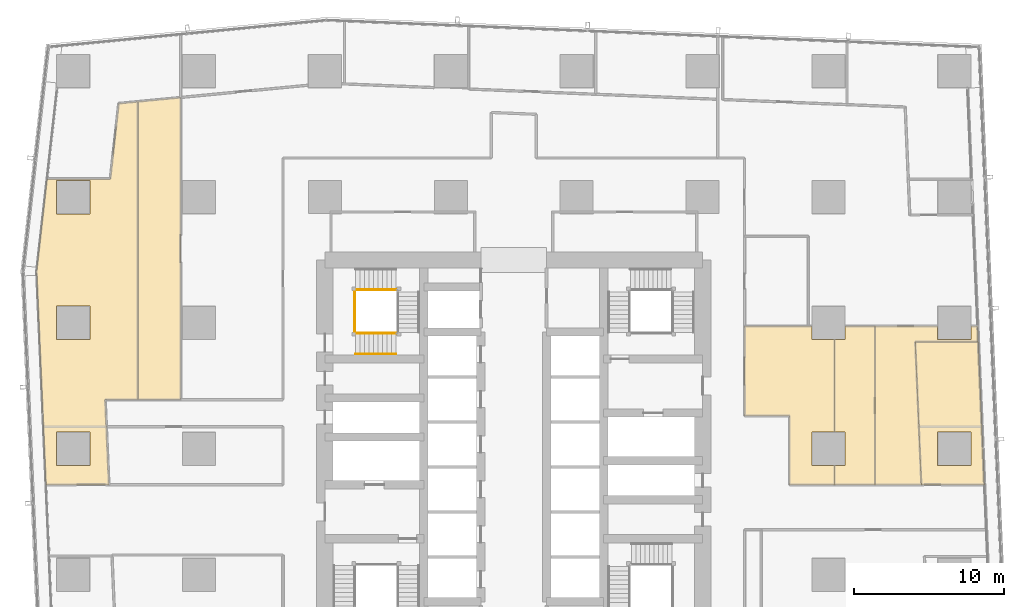
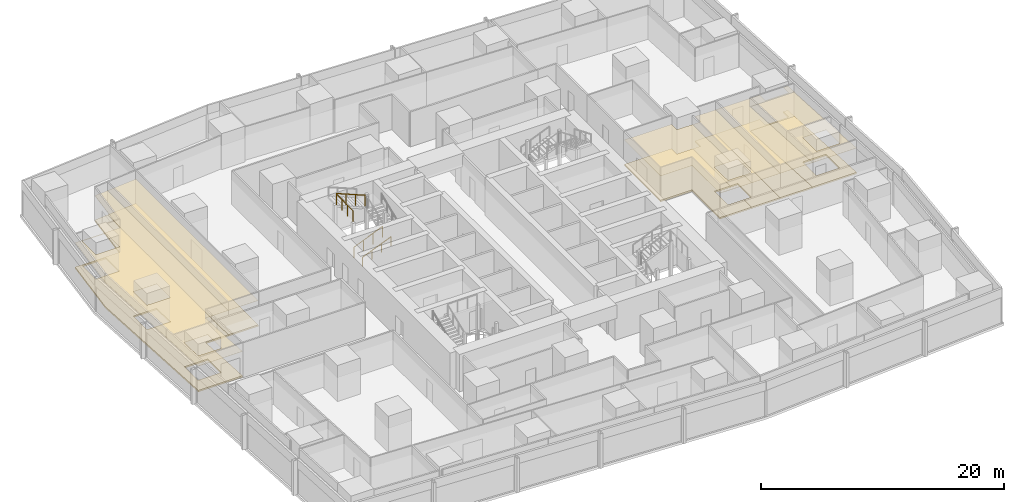
# One storey, part 41 of 45: 12 coverings, 4 railings.
"""IFC4 building model written with IfcOpenShell, lengths in metres."""

import ifcopenshell
import ifcopenshell.guid

model = None  # the IFC model being written
_history = None  # IfcOwnerHistory: only IFC2X3 demands one
_inside = {}  # id of a spatial element -> (the spatial element, [elements in it])
_under = {}  # id of a project, library or spatial element -> (it, [spatial elements below it])
_declared = {}  # id of a project -> (the project, [libraries it declares])
_typed = {}  # id of a type object -> (the type object, [elements of that type])
_made_of = {}  # id of a material, layer set ... -> (it, [elements and type objects made of it])


def new_model(schema):
    """Start an empty IFC model of exactly this schema.

    Asked for "IFC4X3", IfcOpenShell would pick the latest addendum, in which some entities
    have other attributes; the version numbers below select the first issue.
    IFC2X3 requires an IfcOwnerHistory on every rooted entity: one is made here for all.
    """
    global model, _history
    if schema == "IFC4X3":
        model = ifcopenshell.file(schema_version=(4, 3, 0, 0))
    else:
        model = ifcopenshell.file(schema=schema)
    _inside.clear()
    _under.clear()
    _declared.clear()
    _typed.clear()
    _made_of.clear()
    _history = None
    if model.schema == "IFC2X3":
        org = make("IfcOrganization", Name="unknown")
        user = make(
            "IfcPersonAndOrganization",
            ThePerson=make("IfcPerson", FamilyName="unknown"),
            TheOrganization=org,
        )
        app = make(
            "IfcApplication",
            ApplicationDeveloper=org,
            Version="unknown",
            ApplicationFullName="unknown",
            ApplicationIdentifier="unknown",
        )
        _history = make(
            "IfcOwnerHistory",
            OwningUser=user,
            OwningApplication=app,
            ChangeAction="ADDED",
            CreationDate=0,
        )
    return model


def make(cls, **values):
    """One entity of the class cls with the attributes given. An attribute that is None is left unset."""
    return model.create_entity(
        cls, **{name: value for name, value in values.items() if value is not None}
    )


def rooted(cls, **values):
    """An entity with a GlobalId (a new one), such as an element, a storey or a relation."""
    return make(cls, GlobalId=ifcopenshell.guid.new(), OwnerHistory=_history, **values)


def si_unit(unit_type, name, prefix=None):
    """IfcSIUnit, for example si_unit("LENGTHUNIT", "METRE", prefix="MILLI")."""
    return make("IfcSIUnit", UnitType=unit_type, Prefix=prefix, Name=name)


def assignment(units):
    """IfcUnitAssignment: the units of a project."""
    return None if units is None else make("IfcUnitAssignment", Units=units)


def point(xyz):
    """IfcCartesianPoint."""
    return None if xyz is None else make("IfcCartesianPoint", Coordinates=xyz)


def direction(xyz):
    """IfcDirection."""
    return None if xyz is None else make("IfcDirection", DirectionRatios=xyz)


def frame(location, z_axis=None, x_axis=None):
    """IfcAxis2Placement3D, a coordinate frame: its origin and axes. An axis left out is left unset."""
    return make(
        "IfcAxis2Placement3D",
        Location=point(location),
        Axis=direction(z_axis),
        RefDirection=direction(x_axis),
    )


def frame_2d(location, x_axis=None):
    """IfcAxis2Placement2D, a coordinate frame in the plane: its origin and x axis."""
    return make(
        "IfcAxis2Placement2D", Location=point(location), RefDirection=direction(x_axis)
    )


def origin():
    """The frame at (0, 0, 0) with its axes left unset."""
    return frame((0.0, 0.0, 0.0))


def origin_2d():
    """The frame at (0, 0) in the plane with its x axis left unset."""
    return frame_2d((0.0, 0.0))


def place(relative_to, where):
    """IfcLocalPlacement: puts the frame where relative to a parent placement (None: the world)."""
    return make(
        "IfcLocalPlacement", PlacementRelTo=relative_to, RelativePlacement=where
    )


def context(
    kind, dimensions, precision=None, world=None, true_north=None, identifier=None
):
    """IfcGeometricRepresentationContext, for example the 3D "Model" context."""
    return make(
        "IfcGeometricRepresentationContext",
        ContextIdentifier=identifier,
        ContextType=kind,
        CoordinateSpaceDimension=dimensions,
        Precision=precision,
        WorldCoordinateSystem=world,
        TrueNorth=true_north,
    )


def subcontext(parent, identifier, kind, view, scale=None):
    """IfcGeometricRepresentationSubContext, for example "Body" below "Model"."""
    return make(
        "IfcGeometricRepresentationSubContext",
        ContextIdentifier=identifier,
        ContextType=kind,
        ParentContext=parent,
        TargetScale=scale,
        TargetView=view,
    )


def project(units=None, contexts=None):
    """IfcProject with its units and contexts."""
    return rooted(
        "IfcProject",
        Name="project",
        RepresentationContexts=contexts,
        UnitsInContext=assignment(units),
    )


def spatial(cls, under=None, at=None, **own):
    """A site, building, storey or space (cls), placed at a placement, below another one or the project."""
    s = rooted(cls, ObjectPlacement=at, **own)
    if under is not None:
        _under.setdefault(under.id(), (under, []))[1].append(s)
    return s


def polyline(points):
    """IfcPolyline through the points."""
    return make("IfcPolyline", Points=[point(p) for p in points])


def profile(cls, at=None, kind="AREA", **sizes):
    """A parametric profile (cls). Its sizes go by their IFC names, for example OverallWidth=200.0."""
    return make(cls, ProfileType=kind, Position=at, **sizes)


def circle(**sizes):
    """IfcCircleProfileDef."""
    return profile("IfcCircleProfileDef", **sizes)


def outline(outer, holes=None, kind="AREA"):
    """IfcArbitraryClosedProfileDef: a profile drawn as a closed curve; with holes, ...WithVoids."""
    if holes is None:
        return make("IfcArbitraryClosedProfileDef", ProfileType=kind, OuterCurve=outer)
    return make(
        "IfcArbitraryProfileDefWithVoids",
        ProfileType=kind,
        OuterCurve=outer,
        InnerCurves=holes,
    )


def extrude(swept, where, along, depth):
    """IfcExtrudedAreaSolid: the profile swept, set in the frame where, extruded along a direction by depth."""
    return make(
        "IfcExtrudedAreaSolid",
        SweptArea=swept,
        Position=where,
        ExtrudedDirection=direction(along),
        Depth=depth,
    )


def shape(context_of_items, identifier, shape_type, items):
    """IfcShapeRepresentation: the items that make up one representation, for example the "Body"."""
    return make(
        "IfcShapeRepresentation",
        ContextOfItems=context_of_items,
        RepresentationIdentifier=identifier,
        RepresentationType=shape_type,
        Items=items,
    )


def material(Name=None, Category=None):
    """IfcMaterial."""
    return make("IfcMaterial", Name=Name, Category=Category)


def layer(
    of_material, thickness, ventilated=None, Name=None, Category=None, Priority=None
):
    """IfcMaterialLayer: one layer of a wall or slab, of a material (None: an air gap)."""
    return make(
        "IfcMaterialLayer",
        Material=of_material,
        LayerThickness=thickness,
        IsVentilated=ventilated,
        Name=Name,
        Category=Category,
        Priority=Priority,
    )


def layer_set(layers, Name=None):
    """IfcMaterialLayerSet."""
    return make("IfcMaterialLayerSet", MaterialLayers=layers, LayerSetName=Name)


def made_of(thing, what):
    """Note that an element or type object is made of a material, layer set ...; save() writes the relation."""
    if what is not None:
        _made_of.setdefault(what.id(), (what, []))[1].append(thing)
    return thing


def type_object(cls, material=None, **own):
    """A type object (cls), such as IfcWallType, which elements share."""
    return made_of(rooted(cls, **own), material)


def element(
    cls,
    number,
    at=None,
    inside=None,
    cuts=None,
    type_object=None,
    material=None,
    context=None,
    identifier="Body",
    shape_type=None,
    held_by="IfcProductDefinitionShape",
    body=None,
    shapes=None,
    **own,
):
    """One element of the class cls, such as IfcWall. Its Tag is "e" and its number.

    at: its placement. inside: the storey or other place that contains it. cuts: it is an
    opening in that element (IfcRelVoidsElement). A single representation is given by context,
    identifier, shape_type and body (its items); several are given by shapes. held_by: the class
    of the entity that holds the representations. save() writes the other relations.
    """
    e = rooted(cls, Tag="e%d" % number, ObjectPlacement=at, **own)
    if body is not None:
        shapes = [shape(context, identifier, shape_type, body)]
    if shapes is not None:
        e.Representation = make(held_by, Representations=shapes)
    if inside is not None:
        _inside.setdefault(inside.id(), (inside, []))[1].append(e)
    if cuts is not None:
        rooted(
            "IfcRelVoidsElement", RelatingBuildingElement=cuts, RelatedOpeningElement=e
        )
    if type_object is not None:
        _typed.setdefault(type_object.id(), (type_object, []))[1].append(e)
    return made_of(e, material)


def aggregate(whole, parts):
    """IfcRelAggregates: a whole, such as a stair, and the parts it consists of."""
    return rooted("IfcRelAggregates", RelatingObject=whole, RelatedObjects=parts)


def save(model, path):
    """Write the relations noted so far, then the file.

    IfcRelAggregates (storeys below a building ...), IfcRelContainedInSpatialStructure (elements
    in a storey), IfcRelDefinesByType, IfcRelAssociatesMaterial and IfcRelDeclares: one each for
    every whole, place, type object, material and project.
    """
    for whole, parts in _under.values():
        aggregate(whole, parts)
    for where, things in _inside.values():
        rooted(
            "IfcRelContainedInSpatialStructure",
            RelatedElements=things,
            RelatingStructure=where,
        )
    for kind, things in _typed.values():
        rooted("IfcRelDefinesByType", RelatedObjects=things, RelatingType=kind)
    for what, things in _made_of.values():
        rooted("IfcRelAssociatesMaterial", RelatedObjects=things, RelatingMaterial=what)
    for by, libraries in _declared.values():
        rooted("IfcRelDeclares", RelatingContext=by, RelatedDefinitions=libraries)
    model.write(path)


model = new_model("IFC4")

# Units and contexts
model_context = context("Model", 3, precision=1e-05, world=origin(), true_north=direction((0.0, 1.0)))
body_context = subcontext(model_context, "Body", "Model", "MODEL_VIEW")
ifc_project = project(units=[si_unit("LENGTHUNIT", "METRE"), si_unit("AREAUNIT", "SQUARE_METRE"), si_unit("VOLUMEUNIT", "CUBIC_METRE"), si_unit("PLANEANGLEUNIT", "RADIAN"), si_unit("MASSUNIT", "GRAM", prefix="KILO")], contexts=[model_context])

# Site, building, storey
site_placement = place(None, origin())
site = spatial("IfcSite", under=ifc_project, at=site_placement, CompositionType="ELEMENT")
building_placement = place(site_placement, origin())
building = spatial("IfcBuilding", under=site, at=building_placement, Name="Rekha Terrace Tower", CompositionType="ELEMENT")
storey_placement = place(building_placement, frame((0.0, 0.0, 44.14990234375)))
storey = spatial("IfcBuildingStorey", under=building, at=storey_placement, Name="L10", CompositionType="ELEMENT", Elevation=44.14990234375)

# Coverings
ifc_material_1 = material(Name="Mineral fibre tile in exposed grid", Category="finish")
ifc_layer_1 = layer(ifc_material_1, 0.02001953125)
ifc_layer_set_1 = layer_set([ifc_layer_1], Name="Mineral fibre tile in exposed grid")
covering_type_1 = type_object("IfcCoveringType", Name="CL1 600x1200 office grid ceiling", PredefinedType="CEILING", material=ifc_layer_set_1)
covering_1_placement = place(storey_placement, frame((0.0, 0.0, 2.580078125)))
element("IfcCovering", 1, at=covering_1_placement, inside=storey, type_object=covering_type_1, Name="Ceiling L10-06", PredefinedType="CEILING", context=body_context, shape_type="SweptSolid", body=[
    extrude(outline(polyline([(69.195068359375, 31.199951171875), (69.030029296875, 35.075927734375), (68.7880859375, 40.735107421875), (64.583984375, 40.735107421875), (64.825927734375, 35.0791015625), (64.990966796875, 31.199951171875), (69.195068359375, 31.199951171875)]), holes=[polyline([(68.31494140625, 32.485107421875), (66.0849609375, 32.485107421875), (66.0849609375, 34.715087890625), (68.31494140625, 34.715087890625), (68.31494140625, 32.485107421875)])]), origin(), (0.0, 0.0, 1.0), 0.02001953125),
])
covering_2_placement = place(storey_placement, frame((0.0, 0.0, 2.580078125)))
element("IfcCovering", 2, at=covering_2_placement, inside=storey, type_object=covering_type_1, Name="Ceiling L10-07", PredefinedType="CEILING", context=body_context, shape_type="SweptSolid", body=[
    extrude(outline(polyline([(57.68505859375, 40.885009765625), (57.68505859375, 41.781005859375), (53.199951171875, 41.781005859375), (53.199951171875, 35.800048828125), (56.199951171875, 35.800048828125), (56.199951171875, 31.199951171875), (59.199951171875, 31.199951171875), (59.199951171875, 32.485107421875), (57.68505859375, 32.485107421875), (57.68505859375, 34.715087890625), (59.199951171875, 34.715087890625), (59.199951171875, 40.885009765625), (57.68505859375, 40.885009765625)])), origin(), (0.0, 0.0, 1.0), 0.02001953125),
])
covering_3_placement = place(storey_placement, frame((0.0, 0.0, 2.580078125)))
element("IfcCovering", 3, at=covering_3_placement, inside=storey, type_object=covering_type_1, Name="Ceiling L10-08", PredefinedType="CEILING", context=body_context, shape_type="SweptSolid", body=[
    extrude(outline(polyline([(61.89990234375, 31.199951171875), (61.89990234375, 41.781005859375), (59.9150390625, 41.781005859375), (59.9150390625, 40.885009765625), (59.199951171875, 40.885009765625), (59.199951171875, 34.715087890625), (59.9150390625, 34.715087890625), (59.9150390625, 32.485107421875), (59.199951171875, 32.485107421875), (59.199951171875, 31.199951171875), (61.89990234375, 31.199951171875)])), origin(), (0.0, 0.0, 1.0), 0.02001953125),
])
covering_4_placement = place(storey_placement, frame((0.0, 0.0, 2.580078125)))
element("IfcCovering", 4, at=covering_4_placement, inside=storey, type_object=covering_type_1, Name="Ceiling L10-O2", PredefinedType="CEILING", context=body_context, shape_type="SweptSolid", body=[
    extrude(outline(polyline([(64.990966796875, 31.199951171875), (64.825927734375, 35.076904296875), (64.583984375, 40.735107421875), (68.7880859375, 40.735107421875), (68.742919921875, 41.781005859375), (68.31494140625, 41.781005859375), (68.31494140625, 40.885009765625), (66.0849609375, 40.885009765625), (66.0849609375, 41.781005859375), (61.89990234375, 41.781005859375), (61.89990234375, 31.199951171875), (64.990966796875, 31.199951171875)])), origin(), (0.0, 0.0, 1.0), 0.02001953125),
])
covering_5_placement = place(storey_placement, frame((0.0, 0.0, 2.580078125)))
element("IfcCovering", 5, at=covering_5_placement, inside=storey, type_object=covering_type_1, Name="Ceiling L10-15", PredefinedType="CEILING", context=body_context, shape_type="SweptSolid", body=[
    extrude(outline(polyline([(10.883056640625, 51.617919921875), (6.656982421875, 51.617919921875), (5.962890625, 45.444091796875), (6.056884765625, 43.2939453125), (6.416015625, 35.075927734375), (6.5859375, 31.199951171875), (10.7900390625, 31.199951171875), (10.6201171875, 35.0791015625), (10.5849609375, 35.881103515625), (10.541015625, 36.8779296875), (12.717041015625, 36.8779296875), (12.717041015625, 56.76806640625), (11.447998046875, 56.64599609375), (10.91796875, 51.928955078125), (10.883056640625, 51.617919921875)]), holes=[polyline([(9.514892578125, 32.485107421875), (7.284912109375, 32.485107421875), (7.284912109375, 34.715087890625), (9.514892578125, 34.715087890625), (9.514892578125, 32.485107421875)]), polyline([(9.514892578125, 40.885009765625), (7.284912109375, 40.885009765625), (7.284912109375, 43.114990234375), (9.514892578125, 43.114990234375), (9.514892578125, 40.885009765625)]), polyline([(9.514892578125, 51.514892578125), (9.514892578125, 49.284912109375), (7.284912109375, 49.284912109375), (7.284912109375, 51.514892578125), (9.514892578125, 51.514892578125)])]), origin(), (0.0, 0.0, 1.0), 0.02001953125),
])
covering_6_placement = place(storey_placement, frame((0.0, 0.0, 2.580078125)))
element("IfcCovering", 6, at=covering_6_placement, inside=storey, type_object=covering_type_1, Name="Ceiling L10-16", PredefinedType="CEILING", context=body_context, shape_type="SweptSolid", body=[
    extrude(outline(polyline([(15.572021484375, 36.8779296875), (15.572021484375, 57.04296875), (12.717041015625, 56.76806640625), (12.717041015625, 36.8779296875), (15.572021484375, 36.8779296875)])), origin(), (0.0, 0.0, 1.0), 0.02001953125),
])

# Railings
ifc_material_2 = material(Name="Stainless steel balustrade", Category="steel")
railing_type_1 = type_object("IfcRailingType", Name="GR1 1100 stair guard", PredefinedType="GUARDRAIL", material=ifc_material_2)
railing_1_placement = place(storey_placement, frame((27.25, 41.31494140625, 0.125)))
element("IfcRailing", 7, at=railing_1_placement, inside=storey, type_object=railing_type_1, Name="Guard ST4 L10 flight 1", PredefinedType="GUARDRAIL", context=body_context, shape_type="SweptSolid", body=[
    extrude(circle(Radius=0.02392578125, at=origin_2d()), frame((0.0, 0.0, 1.076171875), z_axis=(0.923074453586, 0.0, 0.384621311341), x_axis=(0.0, 1.0, 0.0)), (0.0, 0.0, 1.0), 2.925048828125),
    extrude(circle(Radius=0.02099609375, at=origin_2d()), origin(), (0.0, 0.0, 1.0), 1.052001953125),
    extrude(circle(Radius=0.02099609375, at=origin_2d()), frame((0.89990234375, 0.0, 0.375)), (0.0, 0.0, 1.0), 1.052001953125),
    extrude(circle(Radius=0.02099609375, at=origin_2d()), frame((1.800048828125, 0.0, 0.75)), (0.0, 0.0, 1.0), 1.052001953125),
    extrude(circle(Radius=0.02099609375, at=origin_2d()), frame((2.699951171875, 0.0, 1.125)), (0.0, 0.0, 1.0), 1.052001953125),
])
railing_2_placement = place(storey_placement, frame((29.949951171875, 44.2099609375, 2.625)))
element("IfcRailing", 8, at=railing_2_placement, inside=storey, type_object=railing_type_1, Name="Guard ST4 L10 flight 3", PredefinedType="GUARDRAIL", context=body_context, shape_type="SweptSolid", body=[
    extrude(circle(Radius=0.02392578125, at=origin_2d()), frame((0.0, 0.0, 1.076171875), z_axis=(-0.923074453586, 0.0, 0.384621311341), x_axis=(0.0, -1.0, 0.0)), (0.0, 0.0, 1.0), 2.925048828125),
    extrude(circle(Radius=0.02099609375, at=origin_2d()), origin(), (0.0, 0.0, 1.0), 1.052001953125),
    extrude(circle(Radius=0.02099609375, at=origin_2d()), frame((-0.89990234375, 0.0, 0.375)), (0.0, 0.0, 1.0), 1.052001953125),
    extrude(circle(Radius=0.02099609375, at=origin_2d()), frame((-1.800048828125, 0.0, 0.75)), (0.0, 0.0, 1.0), 1.052001953125),
    extrude(circle(Radius=0.02099609375, at=origin_2d()), frame((-2.699951171875, 0.0, 1.125)), (0.0, 0.0, 1.0), 1.052001953125),
])
railing_3_placement = place(storey_placement, frame((27.18994140625, 41.375, 3.75)))
element("IfcRailing", 9, at=railing_3_placement, inside=storey, type_object=railing_type_1, Name="Guard ST4 L10 landing 4", PredefinedType="GUARDRAIL", context=body_context, shape_type="SweptSolid", body=[
    extrude(circle(Radius=0.02392578125, at=origin_2d()), frame((0.0, 0.0, 1.076171875), z_axis=(0.0, 1.0, 0.0), x_axis=(-1.0, 0.0, 0.0)), (0.0, 0.0, 1.0), 2.77490234375),
    extrude(circle(Radius=0.02099609375, at=origin_2d()), origin(), (0.0, 0.0, 1.0), 1.052001953125),
    extrude(circle(Radius=0.02099609375, at=origin_2d()), frame((0.0, 0.925048828125, 0.0)), (0.0, 0.0, 1.0), 1.052001953125),
    extrude(circle(Radius=0.02099609375, at=origin_2d()), frame((0.0, 1.849853515625, 0.0)), (0.0, 0.0, 1.0), 1.052001953125),
    extrude(circle(Radius=0.02099609375, at=origin_2d()), frame((0.0, 2.77490234375, 0.0)), (0.0, 0.0, 1.0), 1.052001953125),
])
ifc_material_3 = material(Name="Stainless steel tube", Category="steel")
railing_type_2 = type_object("IfcRailingType", Name="HR1 900 stair handrail", PredefinedType="HANDRAIL", material=ifc_material_3)
railing_4_placement = place(storey_placement, frame((27.25, 39.93505859375, 0.125)))
element("IfcRailing", 10, at=railing_4_placement, inside=storey, type_object=railing_type_2, Name="Handrail ST4 L10 flight 1", PredefinedType="HANDRAIL", context=body_context, shape_type="SweptSolid", body=[
    extrude(circle(Radius=0.02392578125, at=origin_2d()), frame((0.0, 0.0, 0.8759765625), z_axis=(0.923074453586, 0.0, 0.384621311341), x_axis=(0.0, 1.0, 0.0)), (0.0, 0.0, 1.0), 2.925048828125),
    extrude(circle(Radius=0.02099609375, at=origin_2d()), origin(), (0.0, 0.0, 1.0), 0.851806640625),
    extrude(circle(Radius=0.02099609375, at=origin_2d()), frame((0.89990234375, 0.0, 0.375)), (0.0, 0.0, 1.0), 0.851806640625),
    extrude(circle(Radius=0.02099609375, at=origin_2d()), frame((1.800048828125, 0.0, 0.75)), (0.0, 0.0, 1.0), 0.851806640625),
    extrude(circle(Radius=0.02099609375, at=origin_2d()), frame((2.699951171875, 0.0, 1.125)), (0.0, 0.0, 1.0), 0.851806640625),
])

# Coverings
ifc_material_4 = material(Name="Calcium sulphate panels on steel pedestals", Category="steel")
ifc_layer_2 = layer(ifc_material_4, 0.14990234375)
ifc_layer_set_2 = layer_set([ifc_layer_2], Name="Calcium sulphate panels on steel pedestals")
covering_type_2 = type_object("IfcCoveringType", Name="RF1 150 raised access floor", PredefinedType="FLOORING", material=ifc_layer_set_2)
covering_7_placement = place(storey_placement, origin())
element("IfcCovering", 11, at=covering_7_placement, inside=storey, type_object=covering_type_2, Name="Raised floor L10-06", PredefinedType="FLOORING", context=body_context, shape_type="SweptSolid", body=[
    extrude(outline(polyline([(69.195068359375, 31.199951171875), (69.030029296875, 35.075927734375), (68.7880859375, 40.735107421875), (64.583984375, 40.735107421875), (64.825927734375, 35.0791015625), (64.990966796875, 31.199951171875), (69.195068359375, 31.199951171875)]), holes=[polyline([(68.31494140625, 32.485107421875), (66.0849609375, 32.485107421875), (66.0849609375, 34.715087890625), (68.31494140625, 34.715087890625), (68.31494140625, 32.485107421875)])]), origin(), (0.0, 0.0, 1.0), 0.150146484375),
])
covering_8_placement = place(storey_placement, origin())
element("IfcCovering", 12, at=covering_8_placement, inside=storey, type_object=covering_type_2, Name="Raised floor L10-07", PredefinedType="FLOORING", context=body_context, shape_type="SweptSolid", body=[
    extrude(outline(polyline([(57.68505859375, 40.885009765625), (57.68505859375, 41.781005859375), (53.199951171875, 41.781005859375), (53.199951171875, 35.800048828125), (56.199951171875, 35.800048828125), (56.199951171875, 31.199951171875), (59.199951171875, 31.199951171875), (59.199951171875, 32.485107421875), (57.68505859375, 32.485107421875), (57.68505859375, 34.715087890625), (59.199951171875, 34.715087890625), (59.199951171875, 40.885009765625), (57.68505859375, 40.885009765625)])), origin(), (0.0, 0.0, 1.0), 0.150146484375),
])
covering_9_placement = place(storey_placement, origin())
element("IfcCovering", 13, at=covering_9_placement, inside=storey, type_object=covering_type_2, Name="Raised floor L10-08", PredefinedType="FLOORING", context=body_context, shape_type="SweptSolid", body=[
    extrude(outline(polyline([(61.89990234375, 31.199951171875), (61.89990234375, 41.781005859375), (59.9150390625, 41.781005859375), (59.9150390625, 40.885009765625), (59.199951171875, 40.885009765625), (59.199951171875, 34.715087890625), (59.9150390625, 34.715087890625), (59.9150390625, 32.485107421875), (59.199951171875, 32.485107421875), (59.199951171875, 31.199951171875), (61.89990234375, 31.199951171875)])), origin(), (0.0, 0.0, 1.0), 0.150146484375),
])
covering_10_placement = place(storey_placement, origin())
element("IfcCovering", 14, at=covering_10_placement, inside=storey, type_object=covering_type_2, Name="Raised floor L10-O2", PredefinedType="FLOORING", context=body_context, shape_type="SweptSolid", body=[
    extrude(outline(polyline([(64.990966796875, 31.199951171875), (64.825927734375, 35.076904296875), (64.583984375, 40.735107421875), (68.7880859375, 40.735107421875), (68.742919921875, 41.781005859375), (68.31494140625, 41.781005859375), (68.31494140625, 40.885009765625), (66.0849609375, 40.885009765625), (66.0849609375, 41.781005859375), (61.89990234375, 41.781005859375), (61.89990234375, 31.199951171875), (64.990966796875, 31.199951171875)])), origin(), (0.0, 0.0, 1.0), 0.150146484375),
])
covering_11_placement = place(storey_placement, origin())
element("IfcCovering", 15, at=covering_11_placement, inside=storey, type_object=covering_type_2, Name="Raised floor L10-15", PredefinedType="FLOORING", context=body_context, shape_type="SweptSolid", body=[
    extrude(outline(polyline([(10.883056640625, 51.617919921875), (6.656982421875, 51.617919921875), (5.962890625, 45.444091796875), (6.056884765625, 43.2939453125), (6.416015625, 35.075927734375), (6.5859375, 31.199951171875), (10.7900390625, 31.199951171875), (10.6201171875, 35.0791015625), (10.5849609375, 35.881103515625), (10.541015625, 36.8779296875), (12.717041015625, 36.8779296875), (12.717041015625, 56.76806640625), (11.447998046875, 56.64599609375), (10.91796875, 51.928955078125), (10.883056640625, 51.617919921875)]), holes=[polyline([(9.514892578125, 32.485107421875), (7.284912109375, 32.485107421875), (7.284912109375, 34.715087890625), (9.514892578125, 34.715087890625), (9.514892578125, 32.485107421875)]), polyline([(9.514892578125, 40.885009765625), (7.284912109375, 40.885009765625), (7.284912109375, 43.114990234375), (9.514892578125, 43.114990234375), (9.514892578125, 40.885009765625)]), polyline([(9.514892578125, 51.514892578125), (9.514892578125, 49.284912109375), (7.284912109375, 49.284912109375), (7.284912109375, 51.514892578125), (9.514892578125, 51.514892578125)])]), origin(), (0.0, 0.0, 1.0), 0.150146484375),
])
covering_12_placement = place(storey_placement, origin())
element("IfcCovering", 16, at=covering_12_placement, inside=storey, type_object=covering_type_2, Name="Raised floor L10-16", PredefinedType="FLOORING", context=body_context, shape_type="SweptSolid", body=[
    extrude(outline(polyline([(15.572021484375, 36.8779296875), (15.572021484375, 57.04296875), (12.717041015625, 56.76806640625), (12.717041015625, 36.8779296875), (15.572021484375, 36.8779296875)])), origin(), (0.0, 0.0, 1.0), 0.150146484375),
])

save(model, "model.ifc")
